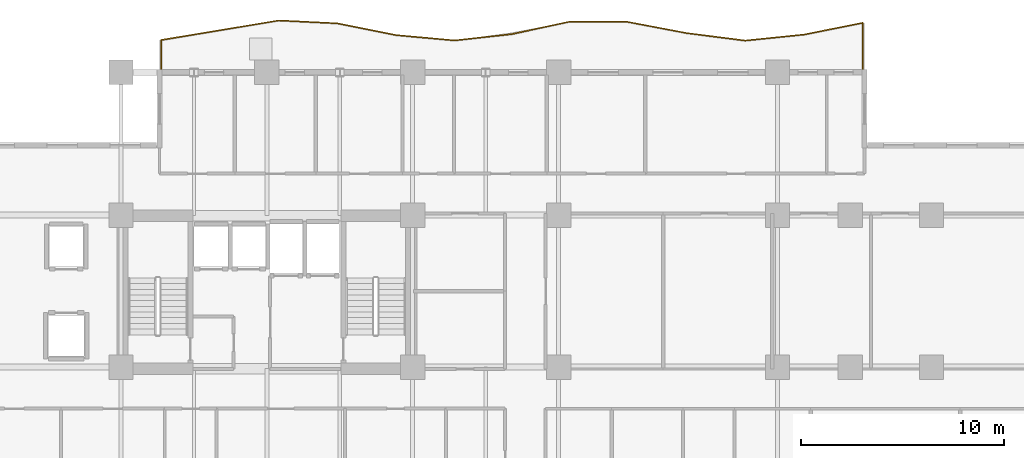
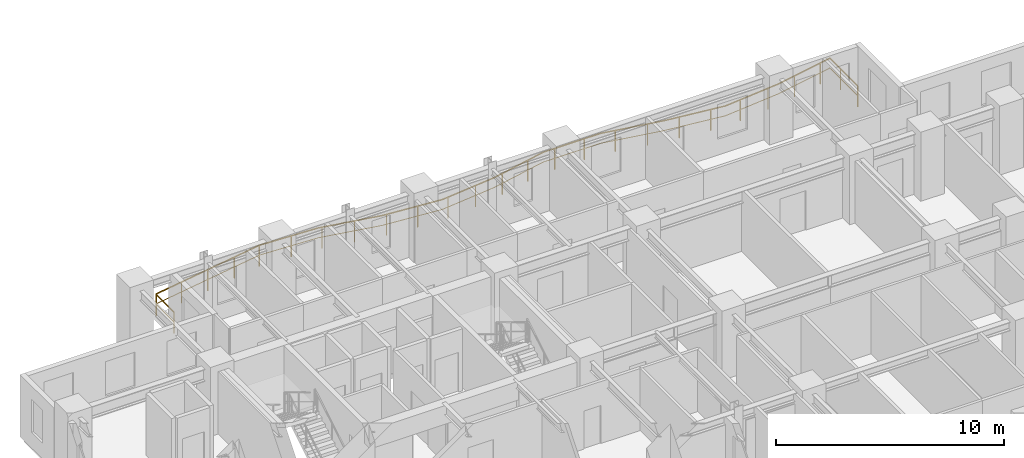
# One storey, part 11 of 11: 1 railing.
"""IFC4 building model written with IfcOpenShell, lengths in metres."""

import ifcopenshell
import ifcopenshell.guid

model = None  # the IFC model being written
_history = None  # IfcOwnerHistory: only IFC2X3 demands one
_inside = {}  # id of a spatial element -> (the spatial element, [elements in it])
_under = {}  # id of a project, library or spatial element -> (it, [spatial elements below it])
_declared = {}  # id of a project -> (the project, [libraries it declares])
_typed = {}  # id of a type object -> (the type object, [elements of that type])
_made_of = {}  # id of a material, layer set ... -> (it, [elements and type objects made of it])


def new_model(schema):
    """Start an empty IFC model of exactly this schema.

    Asked for "IFC4X3", IfcOpenShell would pick the latest addendum, in which some entities
    have other attributes; the version numbers below select the first issue.
    IFC2X3 requires an IfcOwnerHistory on every rooted entity: one is made here for all.
    """
    global model, _history
    if schema == "IFC4X3":
        model = ifcopenshell.file(schema_version=(4, 3, 0, 0))
    else:
        model = ifcopenshell.file(schema=schema)
    _inside.clear()
    _under.clear()
    _declared.clear()
    _typed.clear()
    _made_of.clear()
    _history = None
    if model.schema == "IFC2X3":
        org = make("IfcOrganization", Name="unknown")
        user = make(
            "IfcPersonAndOrganization",
            ThePerson=make("IfcPerson", FamilyName="unknown"),
            TheOrganization=org,
        )
        app = make(
            "IfcApplication",
            ApplicationDeveloper=org,
            Version="unknown",
            ApplicationFullName="unknown",
            ApplicationIdentifier="unknown",
        )
        _history = make(
            "IfcOwnerHistory",
            OwningUser=user,
            OwningApplication=app,
            ChangeAction="ADDED",
            CreationDate=0,
        )
    return model


def make(cls, **values):
    """One entity of the class cls with the attributes given. An attribute that is None is left unset."""
    return model.create_entity(
        cls, **{name: value for name, value in values.items() if value is not None}
    )


def rooted(cls, **values):
    """An entity with a GlobalId (a new one), such as an element, a storey or a relation."""
    return make(cls, GlobalId=ifcopenshell.guid.new(), OwnerHistory=_history, **values)


def si_unit(unit_type, name, prefix=None):
    """IfcSIUnit, for example si_unit("LENGTHUNIT", "METRE", prefix="MILLI")."""
    return make("IfcSIUnit", UnitType=unit_type, Prefix=prefix, Name=name)


def assignment(units):
    """IfcUnitAssignment: the units of a project."""
    return None if units is None else make("IfcUnitAssignment", Units=units)


def point(xyz):
    """IfcCartesianPoint."""
    return None if xyz is None else make("IfcCartesianPoint", Coordinates=xyz)


def direction(xyz):
    """IfcDirection."""
    return None if xyz is None else make("IfcDirection", DirectionRatios=xyz)


def frame(location, z_axis=None, x_axis=None):
    """IfcAxis2Placement3D, a coordinate frame: its origin and axes. An axis left out is left unset."""
    return make(
        "IfcAxis2Placement3D",
        Location=point(location),
        Axis=direction(z_axis),
        RefDirection=direction(x_axis),
    )


def frame_2d(location, x_axis=None):
    """IfcAxis2Placement2D, a coordinate frame in the plane: its origin and x axis."""
    return make(
        "IfcAxis2Placement2D", Location=point(location), RefDirection=direction(x_axis)
    )


def origin():
    """The frame at (0, 0, 0) with its axes left unset."""
    return frame((0.0, 0.0, 0.0))


def origin_2d():
    """The frame at (0, 0) in the plane with its x axis left unset."""
    return frame_2d((0.0, 0.0))


def place(relative_to, where):
    """IfcLocalPlacement: puts the frame where relative to a parent placement (None: the world)."""
    return make(
        "IfcLocalPlacement", PlacementRelTo=relative_to, RelativePlacement=where
    )


def context(
    kind, dimensions, precision=None, world=None, true_north=None, identifier=None
):
    """IfcGeometricRepresentationContext, for example the 3D "Model" context."""
    return make(
        "IfcGeometricRepresentationContext",
        ContextIdentifier=identifier,
        ContextType=kind,
        CoordinateSpaceDimension=dimensions,
        Precision=precision,
        WorldCoordinateSystem=world,
        TrueNorth=true_north,
    )


def subcontext(parent, identifier, kind, view, scale=None):
    """IfcGeometricRepresentationSubContext, for example "Body" below "Model"."""
    return make(
        "IfcGeometricRepresentationSubContext",
        ContextIdentifier=identifier,
        ContextType=kind,
        ParentContext=parent,
        TargetScale=scale,
        TargetView=view,
    )


def project(units=None, contexts=None):
    """IfcProject with its units and contexts."""
    return rooted(
        "IfcProject",
        Name="project",
        RepresentationContexts=contexts,
        UnitsInContext=assignment(units),
    )


def spatial(cls, under=None, at=None, **own):
    """A site, building, storey or space (cls), placed at a placement, below another one or the project."""
    s = rooted(cls, ObjectPlacement=at, **own)
    if under is not None:
        _under.setdefault(under.id(), (under, []))[1].append(s)
    return s


def profile(cls, at=None, kind="AREA", **sizes):
    """A parametric profile (cls). Its sizes go by their IFC names, for example OverallWidth=200.0."""
    return make(cls, ProfileType=kind, Position=at, **sizes)


def rectangle(**sizes):
    """IfcRectangleProfileDef."""
    return profile("IfcRectangleProfileDef", **sizes)


def extrude(swept, where, along, depth):
    """IfcExtrudedAreaSolid: the profile swept, set in the frame where, extruded along a direction by depth."""
    return make(
        "IfcExtrudedAreaSolid",
        SweptArea=swept,
        Position=where,
        ExtrudedDirection=direction(along),
        Depth=depth,
    )


def shape(context_of_items, identifier, shape_type, items):
    """IfcShapeRepresentation: the items that make up one representation, for example the "Body"."""
    return make(
        "IfcShapeRepresentation",
        ContextOfItems=context_of_items,
        RepresentationIdentifier=identifier,
        RepresentationType=shape_type,
        Items=items,
    )


def material(Name=None, Category=None):
    """IfcMaterial."""
    return make("IfcMaterial", Name=Name, Category=Category)


def made_of(thing, what):
    """Note that an element or type object is made of a material, layer set ...; save() writes the relation."""
    if what is not None:
        _made_of.setdefault(what.id(), (what, []))[1].append(thing)
    return thing


def type_object(cls, material=None, **own):
    """A type object (cls), such as IfcWallType, which elements share."""
    return made_of(rooted(cls, **own), material)


def element(
    cls,
    number,
    at=None,
    inside=None,
    cuts=None,
    type_object=None,
    material=None,
    context=None,
    identifier="Body",
    shape_type=None,
    held_by="IfcProductDefinitionShape",
    body=None,
    shapes=None,
    **own,
):
    """One element of the class cls, such as IfcWall. Its Tag is "e" and its number.

    at: its placement. inside: the storey or other place that contains it. cuts: it is an
    opening in that element (IfcRelVoidsElement). A single representation is given by context,
    identifier, shape_type and body (its items); several are given by shapes. held_by: the class
    of the entity that holds the representations. save() writes the other relations.
    """
    e = rooted(cls, Tag="e%d" % number, ObjectPlacement=at, **own)
    if body is not None:
        shapes = [shape(context, identifier, shape_type, body)]
    if shapes is not None:
        e.Representation = make(held_by, Representations=shapes)
    if inside is not None:
        _inside.setdefault(inside.id(), (inside, []))[1].append(e)
    if cuts is not None:
        rooted(
            "IfcRelVoidsElement", RelatingBuildingElement=cuts, RelatedOpeningElement=e
        )
    if type_object is not None:
        _typed.setdefault(type_object.id(), (type_object, []))[1].append(e)
    return made_of(e, material)


def aggregate(whole, parts):
    """IfcRelAggregates: a whole, such as a stair, and the parts it consists of."""
    return rooted("IfcRelAggregates", RelatingObject=whole, RelatedObjects=parts)


def save(model, path):
    """Write the relations noted so far, then the file.

    IfcRelAggregates (storeys below a building ...), IfcRelContainedInSpatialStructure (elements
    in a storey), IfcRelDefinesByType, IfcRelAssociatesMaterial and IfcRelDeclares: one each for
    every whole, place, type object, material and project.
    """
    for whole, parts in _under.values():
        aggregate(whole, parts)
    for where, things in _inside.values():
        rooted(
            "IfcRelContainedInSpatialStructure",
            RelatedElements=things,
            RelatingStructure=where,
        )
    for kind, things in _typed.values():
        rooted("IfcRelDefinesByType", RelatedObjects=things, RelatingType=kind)
    for what, things in _made_of.values():
        rooted("IfcRelAssociatesMaterial", RelatedObjects=things, RelatingMaterial=what)
    for by, libraries in _declared.values():
        rooted("IfcRelDeclares", RelatingContext=by, RelatedDefinitions=libraries)
    model.write(path)


model = new_model("IFC4")

# Units and contexts
model_context = context("Model", 3, precision=1e-05, world=origin(), true_north=direction((0.0, 1.0)))
body_context = subcontext(model_context, "Body", "Model", "MODEL_VIEW")
ifc_project = project(units=[si_unit("LENGTHUNIT", "METRE"), si_unit("AREAUNIT", "SQUARE_METRE"), si_unit("VOLUMEUNIT", "CUBIC_METRE"), si_unit("PLANEANGLEUNIT", "RADIAN"), si_unit("MASSUNIT", "GRAM", prefix="KILO")], contexts=[model_context])

# Site, building, storey
site_placement = place(None, origin())
site = spatial("IfcSite", under=ifc_project, at=site_placement, CompositionType="ELEMENT")
building_placement = place(site_placement, origin())
building = spatial("IfcBuilding", under=site, at=building_placement, Name="Kaliganga Portal Commons", CompositionType="ELEMENT")
storey_placement = place(building_placement, frame((0.0, 0.0, 126.699951171875)))
storey = spatial("IfcBuildingStorey", under=building, at=storey_placement, Name="L32", CompositionType="ELEMENT", Elevation=126.699951171875)

# Railing
ifc_material = material(Name="Laminated Safety Glass and Stainless Steel 316", Category="steel")
railing_type = type_object("IfcRailingType", Name="RLG-BAL-1150", PredefinedType="BALUSTRADE", material=ifc_material)
railing_placement = place(storey_placement, frame((51.0205078125, 43.208251953125, 0.0)))
element("IfcRailing", 1, at=railing_placement, inside=storey, type_object=railing_type, Name="Balcony Guardrail L32 balc_north", PredefinedType="BALUSTRADE", context=body_context, shape_type="SweptSolid", body=[
    extrude(rectangle(XDim=0.048095703125, YDim=0.048095703125, at=origin_2d()), frame((0.0, 0.0, 1.1259765625), z_axis=(-0.000200340575, 0.999999979932, 0.0), x_axis=(-0.999999979932, -0.000200340575, 0.0)), (0.0, 0.0, 1.0), 2.437255859375),
    extrude(rectangle(XDim=0.028076171875, YDim=0.028076171875, at=origin_2d()), frame((0.0, 0.0, 0.597900390625), z_axis=(-0.000200340575, 0.999999979932, 0.0), x_axis=(-0.999999979932, -0.000200340575, 0.0)), (0.0, 0.0, 1.0), 2.437255859375),
    extrude(rectangle(XDim=0.048095703125, YDim=0.048095703125, at=origin_2d()), frame((-0.00048828125, 2.437255859375, 1.1259765625), z_axis=(-0.980637790393, -0.195830345076, 0.0), x_axis=(0.195830345076, -0.980637790393, 0.0)), (0.0, 0.0, 1.0), 2.957275390625),
    extrude(rectangle(XDim=0.028076171875, YDim=0.028076171875, at=origin_2d()), frame((-0.00048828125, 2.437255859375, 0.597900390625), z_axis=(-0.980637790393, -0.195830345076, 0.0), x_axis=(0.195830345076, -0.980637790393, 0.0)), (0.0, 0.0, 1.0), 2.957275390625),
    extrude(rectangle(XDim=0.048095703125, YDim=0.048095703125, at=origin_2d()), frame((-2.900390625, 1.858154296875, 1.1259765625), z_axis=(-0.994733384631, -0.102496309688, 0.0), x_axis=(0.102496309688, -0.994733384631, 0.0)), (0.0, 0.0, 1.0), 2.91552734375),
    extrude(rectangle(XDim=0.028076171875, YDim=0.028076171875, at=origin_2d()), frame((-2.900390625, 1.858154296875, 0.597900390625), z_axis=(-0.994733384631, -0.102496309688, 0.0), x_axis=(0.102496309688, -0.994733384631, 0.0)), (0.0, 0.0, 1.0), 2.91552734375),
    extrude(rectangle(XDim=0.048095703125, YDim=0.048095703125, at=origin_2d()), frame((-5.800537109375, 1.559326171875, 1.1259765625), z_axis=(-0.99199524901, 0.126275199234, 0.0), x_axis=(-0.126275199234, -0.99199524901, 0.0)), (0.0, 0.0, 1.0), 2.92333984375),
    extrude(rectangle(XDim=0.028076171875, YDim=0.028076171875, at=origin_2d()), frame((-5.800537109375, 1.559326171875, 0.597900390625), z_axis=(-0.99199524901, 0.126275199234, 0.0), x_axis=(-0.126275199234, -0.99199524901, 0.0)), (0.0, 0.0, 1.0), 2.92333984375),
    extrude(rectangle(XDim=0.048095703125, YDim=0.048095703125, at=origin_2d()), frame((-8.700439453125, 1.928466796875, 1.1259765625), z_axis=(-0.982385597195, 0.186865027287, 0.0), x_axis=(-0.186865027287, -0.982385597195, 0.0)), (0.0, 0.0, 1.0), 2.951416015625),
    extrude(rectangle(XDim=0.028076171875, YDim=0.028076171875, at=origin_2d()), frame((-8.700439453125, 1.928466796875, 0.597900390625), z_axis=(-0.982385597195, 0.186865027287, 0.0), x_axis=(-0.186865027287, -0.982385597195, 0.0)), (0.0, 0.0, 1.0), 2.951416015625),
    extrude(rectangle(XDim=0.048095703125, YDim=0.048095703125, at=origin_2d()), frame((-11.599853515625, 2.47998046875, 1.1259765625), z_axis=(-0.999995401699, 0.00303258651, 0.0), x_axis=(-0.00303258651, -0.999995401699, 0.0)), (0.0, 0.0, 1.0), 2.898193359375),
    extrude(rectangle(XDim=0.028076171875, YDim=0.028076171875, at=origin_2d()), frame((-11.599853515625, 2.47998046875, 0.597900390625), z_axis=(-0.999995401699, 0.00303258651, 0.0), x_axis=(-0.00303258651, -0.999995401699, 0.0)), (0.0, 0.0, 1.0), 2.898193359375),
    extrude(rectangle(XDim=0.048095703125, YDim=0.048095703125, at=origin_2d()), frame((-14.498046875, 2.48876953125, 1.1259765625), z_axis=(-0.977600254029, -0.210470290829, 0.0), x_axis=(0.210470290829, -0.977600254029, 0.0)), (0.0, 0.0, 1.0), 2.88720703125),
    extrude(rectangle(XDim=0.028076171875, YDim=0.028076171875, at=origin_2d()), frame((-14.498046875, 2.48876953125, 0.597900390625), z_axis=(-0.977600254029, -0.210470290829, 0.0), x_axis=(0.210470290829, -0.977600254029, 0.0)), (0.0, 0.0, 1.0), 2.88720703125),
    extrude(rectangle(XDim=0.048095703125, YDim=0.048095703125, at=origin_2d()), frame((-17.320556640625, 1.881103515625, 1.1259765625), z_axis=(-0.993869035814, -0.110563735696, 0.0), x_axis=(0.110563735696, -0.993869035814, 0.0)), (0.0, 0.0, 1.0), 2.83740234375),
    extrude(rectangle(XDim=0.028076171875, YDim=0.028076171875, at=origin_2d()), frame((-17.320556640625, 1.881103515625, 0.597900390625), z_axis=(-0.993869035814, -0.110563735696, 0.0), x_axis=(0.110563735696, -0.993869035814, 0.0)), (0.0, 0.0, 1.0), 2.83740234375),
    extrude(rectangle(XDim=0.048095703125, YDim=0.048095703125, at=origin_2d()), frame((-20.140625, 1.5673828125, 1.1259765625), z_axis=(-0.995959603375, 0.089802385521, 0.0), x_axis=(-0.089802385521, -0.995959603375, 0.0)), (0.0, 0.0, 1.0), 2.91162109375),
    extrude(rectangle(XDim=0.028076171875, YDim=0.028076171875, at=origin_2d()), frame((-20.140625, 1.5673828125, 0.597900390625), z_axis=(-0.995959603375, 0.089802385521, 0.0), x_axis=(-0.089802385521, -0.995959603375, 0.0)), (0.0, 0.0, 1.0), 2.91162109375),
    extrude(rectangle(XDim=0.048095703125, YDim=0.048095703125, at=origin_2d()), frame((-23.04052734375, 1.828857421875, 1.1259765625), z_axis=(-0.980466226127, 0.196687517204, 0.0), x_axis=(-0.196687517204, -0.980466226127, 0.0)), (0.0, 0.0, 1.0), 2.9580078125),
    extrude(rectangle(XDim=0.028076171875, YDim=0.028076171875, at=origin_2d()), frame((-23.04052734375, 1.828857421875, 0.597900390625), z_axis=(-0.980466226127, 0.196687517204, 0.0), x_axis=(-0.196687517204, -0.980466226127, 0.0)), (0.0, 0.0, 1.0), 2.9580078125),
    extrude(rectangle(XDim=0.048095703125, YDim=0.048095703125, at=origin_2d()), frame((-25.940673828125, 2.41064453125, 1.1259765625), z_axis=(-0.998814246588, 0.048683681183, 0.0), x_axis=(-0.048683681183, -0.998814246588, 0.0)), (0.0, 0.0, 1.0), 2.903564453125),
    extrude(rectangle(XDim=0.028076171875, YDim=0.028076171875, at=origin_2d()), frame((-25.940673828125, 2.41064453125, 0.597900390625), z_axis=(-0.998814246588, 0.048683681183, 0.0), x_axis=(-0.048683681183, -0.998814246588, 0.0)), (0.0, 0.0, 1.0), 2.903564453125),
    extrude(rectangle(XDim=0.048095703125, YDim=0.048095703125, at=origin_2d()), frame((-28.8408203125, 2.552001953125, 1.1259765625), z_axis=(-0.986306251802, -0.164924157285, 0.0), x_axis=(0.164924157285, -0.986306251802, 0.0)), (0.0, 0.0, 1.0), 2.93994140625),
    extrude(rectangle(XDim=0.028076171875, YDim=0.028076171875, at=origin_2d()), frame((-28.8408203125, 2.552001953125, 0.597900390625), z_axis=(-0.986306251802, -0.164924157285, 0.0), x_axis=(0.164924157285, -0.986306251802, 0.0)), (0.0, 0.0, 1.0), 2.93994140625),
    extrude(rectangle(XDim=0.048095703125, YDim=0.048095703125, at=origin_2d()), frame((-31.740478515625, 2.067138671875, 1.1259765625), z_axis=(-0.986619705689, -0.16303851185, 0.0), x_axis=(0.16303851185, -0.986619705689, 0.0)), (0.0, 0.0, 1.0), 2.939453125),
    extrude(rectangle(XDim=0.028076171875, YDim=0.028076171875, at=origin_2d()), frame((-31.740478515625, 2.067138671875, 0.597900390625), z_axis=(-0.986619705689, -0.16303851185, 0.0), x_axis=(0.16303851185, -0.986619705689, 0.0)), (0.0, 0.0, 1.0), 2.939453125),
    extrude(rectangle(XDim=0.048095703125, YDim=0.048095703125, at=origin_2d()), frame((-34.640625, 1.587890625, 1.1259765625), z_axis=(-0.000153751536, -0.99999998818, 0.0), x_axis=(0.99999998818, -0.000153751536, 0.0)), (0.0, 0.0, 1.0), 1.587890625),
    extrude(rectangle(XDim=0.028076171875, YDim=0.028076171875, at=origin_2d()), frame((-34.640625, 1.587890625, 0.597900390625), z_axis=(-0.000153751536, -0.99999998818, 0.0), x_axis=(0.99999998818, -0.000153751536, 0.0)), (0.0, 0.0, 1.0), 1.587890625),
    extrude(rectangle(XDim=0.0419921875, YDim=0.0419921875, at=origin_2d()), origin(), (0.0, 0.0, 1.0), 1.101806640625),
    extrude(rectangle(XDim=0.0419921875, YDim=0.0419921875, at=origin_2d()), frame((-0.000244140625, 1.5, 0.0)), (0.0, 0.0, 1.0), 1.101806640625),
    extrude(rectangle(XDim=0.0419921875, YDim=0.0419921875, at=origin_2d()), frame((-0.55224609375, 2.3271484375, 0.0)), (0.0, 0.0, 1.0), 1.101806640625),
    extrude(rectangle(XDim=0.0419921875, YDim=0.0419921875, at=origin_2d()), frame((-2.023193359375, 2.033203125, 0.0)), (0.0, 0.0, 1.0), 1.101806640625),
    extrude(rectangle(XDim=0.0419921875, YDim=0.0419921875, at=origin_2d()), frame((-3.502685546875, 1.796142578125, 0.0)), (0.0, 0.0, 1.0), 1.101806640625),
    extrude(rectangle(XDim=0.0419921875, YDim=0.0419921875, at=origin_2d()), frame((-4.994873046875, 1.642333984375, 0.0)), (0.0, 0.0, 1.0), 1.101806640625),
    extrude(rectangle(XDim=0.0419921875, YDim=0.0419921875, at=origin_2d()), frame((-6.485107421875, 1.646484375, 0.0)), (0.0, 0.0, 1.0), 1.101806640625),
    extrude(rectangle(XDim=0.0419921875, YDim=0.0419921875, at=origin_2d()), frame((-7.97314453125, 1.8359375, 0.0)), (0.0, 0.0, 1.0), 1.101806640625),
    extrude(rectangle(XDim=0.0419921875, YDim=0.0419921875, at=origin_2d()), frame((-9.45361328125, 2.07177734375, 0.0)), (0.0, 0.0, 1.0), 1.101806640625),
    extrude(rectangle(XDim=0.0419921875, YDim=0.0419921875, at=origin_2d()), frame((-10.92724609375, 2.35205078125, 0.0)), (0.0, 0.0, 1.0), 1.101806640625),
    extrude(rectangle(XDim=0.0419921875, YDim=0.0419921875, at=origin_2d()), frame((-12.415283203125, 2.482421875, 0.0)), (0.0, 0.0, 1.0), 1.101806640625),
    extrude(rectangle(XDim=0.0419921875, YDim=0.0419921875, at=origin_2d()), frame((-13.915283203125, 2.487060546875, 0.0)), (0.0, 0.0, 1.0), 1.101806640625),
    extrude(rectangle(XDim=0.0419921875, YDim=0.0419921875, at=origin_2d()), frame((-15.394775390625, 2.295654296875, 0.0)), (0.0, 0.0, 1.0), 1.101806640625),
    extrude(rectangle(XDim=0.0419921875, YDim=0.0419921875, at=origin_2d()), frame((-16.861083984375, 1.97998046875, 0.0)), (0.0, 0.0, 1.0), 1.101806640625),
    extrude(rectangle(XDim=0.0419921875, YDim=0.0419921875, at=origin_2d()), frame((-18.34423828125, 1.767333984375, 0.0)), (0.0, 0.0, 1.0), 1.101806640625),
    extrude(rectangle(XDim=0.0419921875, YDim=0.0419921875, at=origin_2d()), frame((-19.8349609375, 1.601318359375, 0.0)), (0.0, 0.0, 1.0), 1.101806640625),
    extrude(rectangle(XDim=0.0419921875, YDim=0.0419921875, at=origin_2d()), frame((-21.328369140625, 1.674560546875, 0.0)), (0.0, 0.0, 1.0), 1.101806640625),
    extrude(rectangle(XDim=0.0419921875, YDim=0.0419921875, at=origin_2d()), frame((-22.822265625, 1.80908203125, 0.0)), (0.0, 0.0, 1.0), 1.101806640625),
    extrude(rectangle(XDim=0.0419921875, YDim=0.0419921875, at=origin_2d()), frame((-24.29638671875, 2.080810546875, 0.0)), (0.0, 0.0, 1.0), 1.101806640625),
    extrude(rectangle(XDim=0.0419921875, YDim=0.0419921875, at=origin_2d()), frame((-25.76708984375, 2.375732421875, 0.0)), (0.0, 0.0, 1.0), 1.101806640625),
    extrude(rectangle(XDim=0.0419921875, YDim=0.0419921875, at=origin_2d()), frame((-27.261962890625, 2.47509765625, 0.0)), (0.0, 0.0, 1.0), 1.101806640625),
    extrude(rectangle(XDim=0.0419921875, YDim=0.0419921875, at=origin_2d()), frame((-28.8408203125, 2.552001953125, 0.0)), (0.0, 0.0, 1.0), 1.101806640625),
    extrude(rectangle(XDim=0.0419921875, YDim=0.0419921875, at=origin_2d()), frame((-30.24072265625, 2.31787109375, 0.0)), (0.0, 0.0, 1.0), 1.101806640625),
    extrude(rectangle(XDim=0.0419921875, YDim=0.0419921875, at=origin_2d()), frame((-31.740478515625, 2.067138671875, 0.0)), (0.0, 0.0, 1.0), 1.101806640625),
    extrude(rectangle(XDim=0.0419921875, YDim=0.0419921875, at=origin_2d()), frame((-33.2001953125, 1.825927734375, 0.0)), (0.0, 0.0, 1.0), 1.101806640625),
    extrude(rectangle(XDim=0.0419921875, YDim=0.0419921875, at=origin_2d()), frame((-34.640625, 1.5478515625, 0.0)), (0.0, 0.0, 1.0), 1.101806640625),
    extrude(rectangle(XDim=0.0419921875, YDim=0.0419921875, at=origin_2d()), frame((-34.640869140625, 0.0, 0.0)), (0.0, 0.0, 1.0), 1.101806640625),
])

save(model, "model.ifc")
